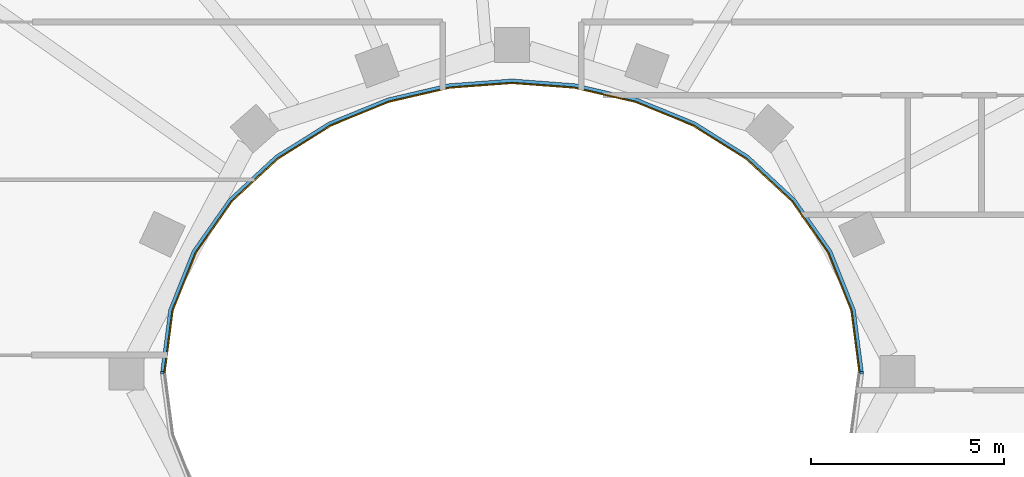
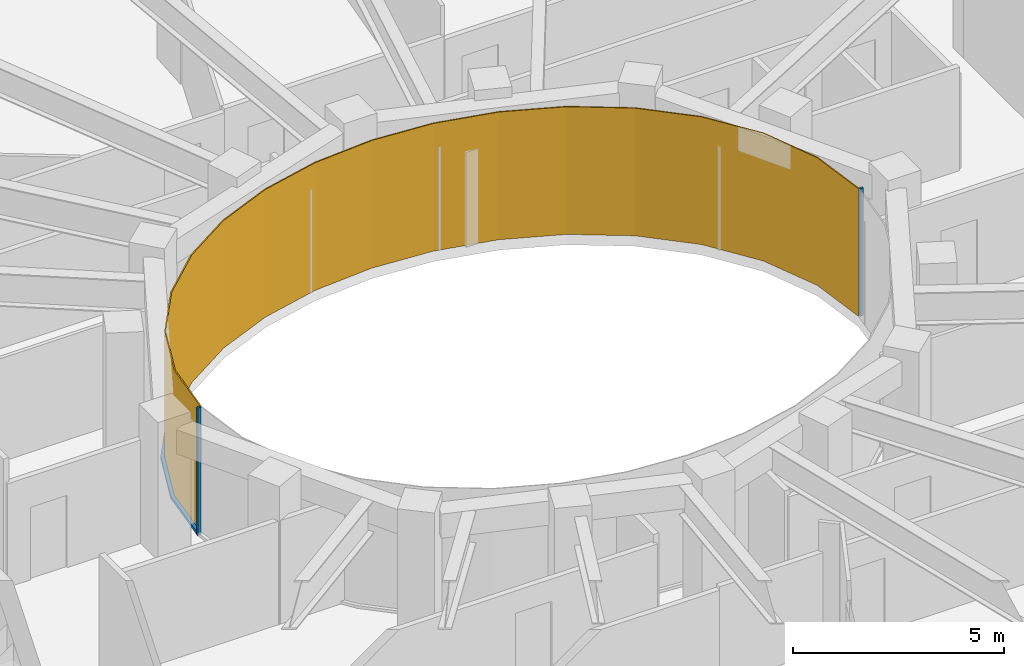
# One storey, part 12 of 16: 3 members, 1 curtain wall.
"""IFC4 building model written with IfcOpenShell, lengths in metres."""

from ifc_helpers import new_model, si_unit, direction, frame, origin, origin_2d, place, context, subcontext, project, spatial, polyline, rectangle, outline, extrude, material, layer, layer_set, material_profile, profile_set, type_object, element, aggregate, save


model = new_model("IFC4")

# Units and contexts
model_context = context("Model", 3, precision=1e-05, world=origin(), true_north=direction((0.0, 1.0)))
body_context = subcontext(model_context, "Body", "Model", "MODEL_VIEW")
ifc_project = project(units=[si_unit("LENGTHUNIT", "METRE"), si_unit("AREAUNIT", "SQUARE_METRE"), si_unit("VOLUMEUNIT", "CUBIC_METRE"), si_unit("PLANEANGLEUNIT", "RADIAN"), si_unit("MASSUNIT", "GRAM", prefix="KILO")], contexts=[model_context])

# Member
ifc_material_1 = material(Name="Steel S355 fire-resisting frame", Category="steel")
ifc_material_profile = material_profile(ifc_material_1, rectangle(XDim=0.090087890625, YDim=0.06005859375, at=origin_2d()), Name="90x60")
ifc_profile_set = profile_set([ifc_material_profile], Name="Steel S355 fire-resisting frame")
member_type_1 = type_object("IfcMemberType", Name="ENV-MULLION-W-90", PredefinedType="MULLION", material=ifc_profile_set)
site_placement = place(None, origin())
building_placement = place(site_placement, origin())
storey_placement = place(building_placement, frame((0.0, 0.0, 299.0)))
member_1_placement = place(storey_placement, frame((9.076904296875, 0.0, 0.0), z_axis=(0.0, 0.0, 1.0), x_axis=(1.0, 0.0, 0.0)))
member_1 = element("IfcMember", 1, at=member_1_placement, type_object=member_type_1, Name="Mullion W well vertex 01", PredefinedType="MULLION", context=body_context, shape_type="SweptSolid", body=[
    extrude(rectangle(XDim=0.090087890625, YDim=0.06005859375, at=origin_2d()), origin(), (0.0, 0.0, 1.0), 3.699951171875),
])

member_2_placement = place(storey_placement, frame((-9.076904296875, 0.0, 0.0), z_axis=(0.0, 0.0, 1.0), x_axis=(-1.0, 0.0, 0.0)))
member_2 = element("IfcMember", 2, at=member_2_placement, type_object=member_type_1, Name="Mullion W well vertex 17", PredefinedType="MULLION", context=body_context, shape_type="SweptSolid", body=[
    extrude(rectangle(XDim=0.090087890625, YDim=0.06005859375, at=origin_2d()), origin(), (0.0, 0.0, 1.0), 3.699951171875),
])

ifc_material_2 = material(Name="Steel S355 fire-resisting frame", Category="steel")
member_type_2 = type_object("IfcMemberType", Name="ENV-TRANSOM-W", PredefinedType="USERDEFINED", material=ifc_material_2)
member_3_placement = place(storey_placement, origin())
member_3 = element("IfcMember", 3, at=member_3_placement, type_object=member_type_2, Name="Transom W well 01-17", ObjectType="TRANSOM", PredefinedType="USERDEFINED", context=body_context, shape_type="SweptSolid", body=[
    extrude(outline(polyline([(9.119384765625, 0.02783203125), (8.910400390625, 1.63623046875), (8.29833984375, 3.167236328125), (7.35107421875, 4.5146484375), (6.1455078125, 5.6337890625), (4.75341796875, 6.50634765625), (3.233642578125, 7.127685546875), (1.635498046875, 7.498779296875), (0.0, 7.622314453125), (-1.635498046875, 7.498779296875), (-3.233642578125, 7.127685546875), (-4.75341796875, 6.50634765625), (-6.1455078125, 5.6337890625), (-7.35107421875, 4.5146484375), (-8.29833984375, 3.167236328125), (-8.910400390625, 1.63623046875), (-9.119384765625, 0.02783203125), (-9.02880859375, 0.02783203125), (-8.822509765625, 1.61328125), (-8.21875, 3.124267578125), (-7.282958984375, 4.455078125), (-6.090576171875, 5.56201171875), (-4.712158203125, 6.426025390625), (-3.206298828125, 7.04150390625), (-1.621826171875, 7.40966796875), (0.0, 7.531982421875), (1.621826171875, 7.40966796875), (3.206298828125, 7.04150390625), (4.712158203125, 6.426025390625), (6.090576171875, 5.56201171875), (7.282958984375, 4.455078125), (8.21875, 3.124267578125), (8.822509765625, 1.61328125), (9.02880859375, 0.02783203125), (9.119384765625, 0.02783203125)])), origin(), (0.0, 0.0, 1.0), 0.080078125),
])

# Site, building, storey
site = spatial("IfcSite", under=ifc_project, at=site_placement, CompositionType="ELEMENT")
building = spatial("IfcBuilding", under=site, at=building_placement, Name="Noorbagh Ring Tower", CompositionType="ELEMENT")
storey = spatial("IfcBuildingStorey", under=building, at=storey_placement, Name="L64", CompositionType="ELEMENT", Elevation=299.0)

# Curtain wall
ifc_material_3 = material(Name="Glass fire-resisting E60 laminated", Category="glass")
ifc_layer = layer(ifc_material_3, 0.031982421875)
ifc_layer_set = layer_set([ifc_layer], Name="Glass fire-resisting E60 laminated")
curtain_wall_type = type_object("IfcCurtainWallType", Name="ENV-CW-W", PredefinedType="NOTDEFINED", material=ifc_layer_set)
curtain_wall_placement = place(storey_placement, origin())
curtain_wall = element("IfcCurtainWall", 4, at=curtain_wall_placement, inside=storey, type_object=curtain_wall_type, Name="Curtain wall W W01", PredefinedType="NOTDEFINED", context=body_context, shape_type="SweptSolid", body=[
    extrude(outline(polyline([(9.0322265625, 0.0), (8.822509765625, 1.61328125), (8.21875, 3.124267578125), (7.282958984375, 4.455078125), (6.090576171875, 5.56201171875), (4.712158203125, 6.426025390625), (3.206298828125, 7.04150390625), (1.621826171875, 7.40966796875), (0.0, 7.531982421875), (-1.621826171875, 7.40966796875), (-3.206298828125, 7.04150390625), (-4.712158203125, 6.426025390625), (-6.090576171875, 5.56201171875), (-7.282958984375, 4.455078125), (-8.21875, 3.124267578125), (-8.822509765625, 1.61328125), (-9.0322265625, 0.0), (-9.0, 0.0), (-8.79150390625, 1.605224609375), (-8.1904296875, 3.10888671875), (-7.2587890625, 4.43408203125), (-6.071044921875, 5.53662109375), (-4.697509765625, 6.3974609375), (-3.196533203125, 7.010986328125), (-1.6171875, 7.3779296875), (0.0, 7.5), (1.6171875, 7.3779296875), (3.196533203125, 7.010986328125), (4.697509765625, 6.3974609375), (6.071044921875, 5.53662109375), (7.2587890625, 4.43408203125), (8.1904296875, 3.10888671875), (8.79150390625, 1.605224609375), (9.0, 0.0), (9.0322265625, 0.0)])), origin(), (0.0, 0.0, 1.0), 3.699951171875),
])

aggregate(curtain_wall, [member_1, member_2, member_3])

save(model, "model.ifc")
